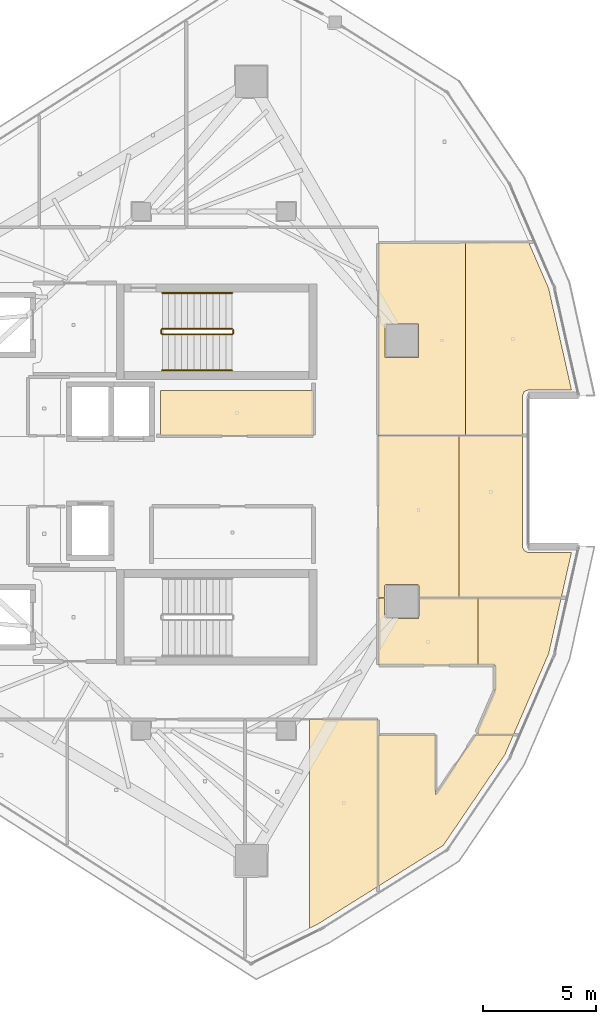
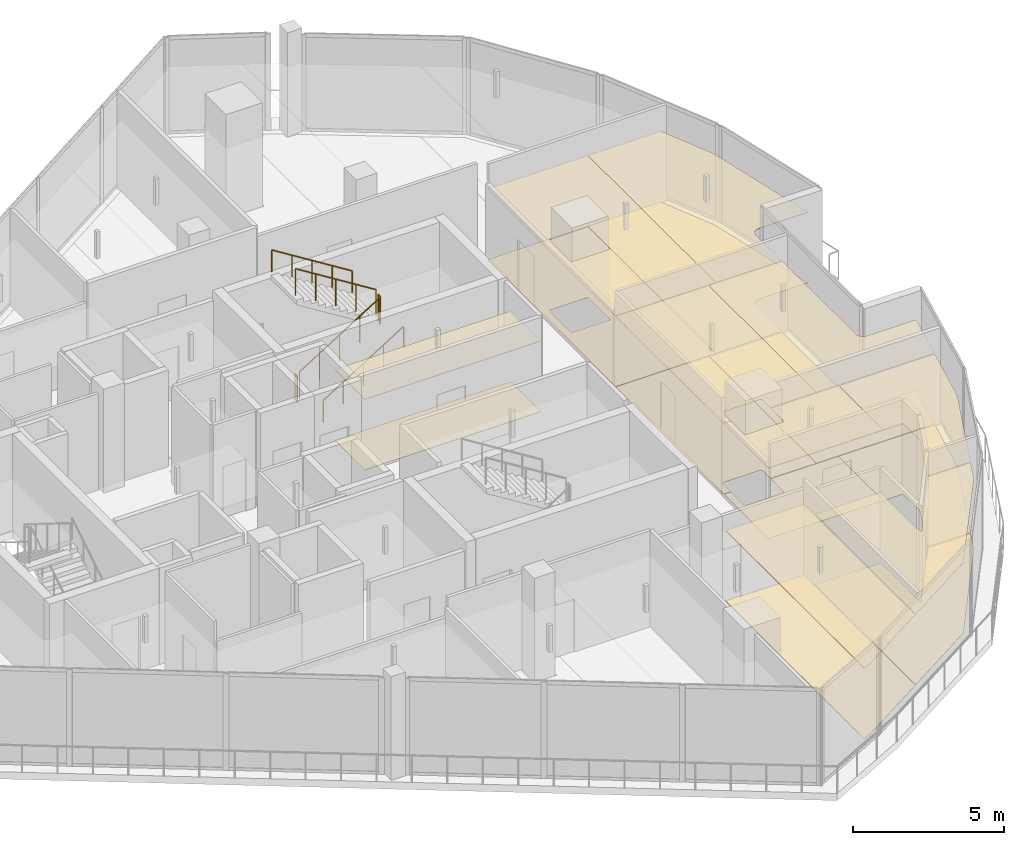
# One storey, part 22 of 23: 18 coverings, 6 railings.
"""IFC4 building model written with IfcOpenShell, lengths in metres."""

import ifcopenshell
import ifcopenshell.guid

model = None  # the IFC model being written
_history = None  # IfcOwnerHistory: only IFC2X3 demands one
_inside = {}  # id of a spatial element -> (the spatial element, [elements in it])
_under = {}  # id of a project, library or spatial element -> (it, [spatial elements below it])
_declared = {}  # id of a project -> (the project, [libraries it declares])
_typed = {}  # id of a type object -> (the type object, [elements of that type])
_made_of = {}  # id of a material, layer set ... -> (it, [elements and type objects made of it])


def new_model(schema):
    """Start an empty IFC model of exactly this schema.

    Asked for "IFC4X3", IfcOpenShell would pick the latest addendum, in which some entities
    have other attributes; the version numbers below select the first issue.
    IFC2X3 requires an IfcOwnerHistory on every rooted entity: one is made here for all.
    """
    global model, _history
    if schema == "IFC4X3":
        model = ifcopenshell.file(schema_version=(4, 3, 0, 0))
    else:
        model = ifcopenshell.file(schema=schema)
    _inside.clear()
    _under.clear()
    _declared.clear()
    _typed.clear()
    _made_of.clear()
    _history = None
    if model.schema == "IFC2X3":
        org = make("IfcOrganization", Name="unknown")
        user = make(
            "IfcPersonAndOrganization",
            ThePerson=make("IfcPerson", FamilyName="unknown"),
            TheOrganization=org,
        )
        app = make(
            "IfcApplication",
            ApplicationDeveloper=org,
            Version="unknown",
            ApplicationFullName="unknown",
            ApplicationIdentifier="unknown",
        )
        _history = make(
            "IfcOwnerHistory",
            OwningUser=user,
            OwningApplication=app,
            ChangeAction="ADDED",
            CreationDate=0,
        )
    return model


def make(cls, **values):
    """One entity of the class cls with the attributes given. An attribute that is None is left unset."""
    return model.create_entity(
        cls, **{name: value for name, value in values.items() if value is not None}
    )


def rooted(cls, **values):
    """An entity with a GlobalId (a new one), such as an element, a storey or a relation."""
    return make(cls, GlobalId=ifcopenshell.guid.new(), OwnerHistory=_history, **values)


def si_unit(unit_type, name, prefix=None):
    """IfcSIUnit, for example si_unit("LENGTHUNIT", "METRE", prefix="MILLI")."""
    return make("IfcSIUnit", UnitType=unit_type, Prefix=prefix, Name=name)


def assignment(units):
    """IfcUnitAssignment: the units of a project."""
    return None if units is None else make("IfcUnitAssignment", Units=units)


def point(xyz):
    """IfcCartesianPoint."""
    return None if xyz is None else make("IfcCartesianPoint", Coordinates=xyz)


def direction(xyz):
    """IfcDirection."""
    return None if xyz is None else make("IfcDirection", DirectionRatios=xyz)


def frame(location, z_axis=None, x_axis=None):
    """IfcAxis2Placement3D, a coordinate frame: its origin and axes. An axis left out is left unset."""
    return make(
        "IfcAxis2Placement3D",
        Location=point(location),
        Axis=direction(z_axis),
        RefDirection=direction(x_axis),
    )


def frame_2d(location, x_axis=None):
    """IfcAxis2Placement2D, a coordinate frame in the plane: its origin and x axis."""
    return make(
        "IfcAxis2Placement2D", Location=point(location), RefDirection=direction(x_axis)
    )


def origin():
    """The frame at (0, 0, 0) with its axes left unset."""
    return frame((0.0, 0.0, 0.0))


def origin_2d():
    """The frame at (0, 0) in the plane with its x axis left unset."""
    return frame_2d((0.0, 0.0))


def place(relative_to, where):
    """IfcLocalPlacement: puts the frame where relative to a parent placement (None: the world)."""
    return make(
        "IfcLocalPlacement", PlacementRelTo=relative_to, RelativePlacement=where
    )


def context(
    kind, dimensions, precision=None, world=None, true_north=None, identifier=None
):
    """IfcGeometricRepresentationContext, for example the 3D "Model" context."""
    return make(
        "IfcGeometricRepresentationContext",
        ContextIdentifier=identifier,
        ContextType=kind,
        CoordinateSpaceDimension=dimensions,
        Precision=precision,
        WorldCoordinateSystem=world,
        TrueNorth=true_north,
    )


def subcontext(parent, identifier, kind, view, scale=None):
    """IfcGeometricRepresentationSubContext, for example "Body" below "Model"."""
    return make(
        "IfcGeometricRepresentationSubContext",
        ContextIdentifier=identifier,
        ContextType=kind,
        ParentContext=parent,
        TargetScale=scale,
        TargetView=view,
    )


def project(units=None, contexts=None):
    """IfcProject with its units and contexts."""
    return rooted(
        "IfcProject",
        Name="project",
        RepresentationContexts=contexts,
        UnitsInContext=assignment(units),
    )


def spatial(cls, under=None, at=None, **own):
    """A site, building, storey or space (cls), placed at a placement, below another one or the project."""
    s = rooted(cls, ObjectPlacement=at, **own)
    if under is not None:
        _under.setdefault(under.id(), (under, []))[1].append(s)
    return s


def polyline(points):
    """IfcPolyline through the points."""
    return make("IfcPolyline", Points=[point(p) for p in points])


def profile(cls, at=None, kind="AREA", **sizes):
    """A parametric profile (cls). Its sizes go by their IFC names, for example OverallWidth=200.0."""
    return make(cls, ProfileType=kind, Position=at, **sizes)


def circle(**sizes):
    """IfcCircleProfileDef."""
    return profile("IfcCircleProfileDef", **sizes)


def outline(outer, holes=None, kind="AREA"):
    """IfcArbitraryClosedProfileDef: a profile drawn as a closed curve; with holes, ...WithVoids."""
    if holes is None:
        return make("IfcArbitraryClosedProfileDef", ProfileType=kind, OuterCurve=outer)
    return make(
        "IfcArbitraryProfileDefWithVoids",
        ProfileType=kind,
        OuterCurve=outer,
        InnerCurves=holes,
    )


def extrude(swept, where, along, depth):
    """IfcExtrudedAreaSolid: the profile swept, set in the frame where, extruded along a direction by depth."""
    return make(
        "IfcExtrudedAreaSolid",
        SweptArea=swept,
        Position=where,
        ExtrudedDirection=direction(along),
        Depth=depth,
    )


def shape(context_of_items, identifier, shape_type, items):
    """IfcShapeRepresentation: the items that make up one representation, for example the "Body"."""
    return make(
        "IfcShapeRepresentation",
        ContextOfItems=context_of_items,
        RepresentationIdentifier=identifier,
        RepresentationType=shape_type,
        Items=items,
    )


def material(Name=None, Category=None):
    """IfcMaterial."""
    return make("IfcMaterial", Name=Name, Category=Category)


def layer(
    of_material, thickness, ventilated=None, Name=None, Category=None, Priority=None
):
    """IfcMaterialLayer: one layer of a wall or slab, of a material (None: an air gap)."""
    return make(
        "IfcMaterialLayer",
        Material=of_material,
        LayerThickness=thickness,
        IsVentilated=ventilated,
        Name=Name,
        Category=Category,
        Priority=Priority,
    )


def layer_set(layers, Name=None):
    """IfcMaterialLayerSet."""
    return make("IfcMaterialLayerSet", MaterialLayers=layers, LayerSetName=Name)


def made_of(thing, what):
    """Note that an element or type object is made of a material, layer set ...; save() writes the relation."""
    if what is not None:
        _made_of.setdefault(what.id(), (what, []))[1].append(thing)
    return thing


def type_object(cls, material=None, **own):
    """A type object (cls), such as IfcWallType, which elements share."""
    return made_of(rooted(cls, **own), material)


def element(
    cls,
    number,
    at=None,
    inside=None,
    cuts=None,
    type_object=None,
    material=None,
    context=None,
    identifier="Body",
    shape_type=None,
    held_by="IfcProductDefinitionShape",
    body=None,
    shapes=None,
    **own,
):
    """One element of the class cls, such as IfcWall. Its Tag is "e" and its number.

    at: its placement. inside: the storey or other place that contains it. cuts: it is an
    opening in that element (IfcRelVoidsElement). A single representation is given by context,
    identifier, shape_type and body (its items); several are given by shapes. held_by: the class
    of the entity that holds the representations. save() writes the other relations.
    """
    e = rooted(cls, Tag="e%d" % number, ObjectPlacement=at, **own)
    if body is not None:
        shapes = [shape(context, identifier, shape_type, body)]
    if shapes is not None:
        e.Representation = make(held_by, Representations=shapes)
    if inside is not None:
        _inside.setdefault(inside.id(), (inside, []))[1].append(e)
    if cuts is not None:
        rooted(
            "IfcRelVoidsElement", RelatingBuildingElement=cuts, RelatedOpeningElement=e
        )
    if type_object is not None:
        _typed.setdefault(type_object.id(), (type_object, []))[1].append(e)
    return made_of(e, material)


def aggregate(whole, parts):
    """IfcRelAggregates: a whole, such as a stair, and the parts it consists of."""
    return rooted("IfcRelAggregates", RelatingObject=whole, RelatedObjects=parts)


def save(model, path):
    """Write the relations noted so far, then the file.

    IfcRelAggregates (storeys below a building ...), IfcRelContainedInSpatialStructure (elements
    in a storey), IfcRelDefinesByType, IfcRelAssociatesMaterial and IfcRelDeclares: one each for
    every whole, place, type object, material and project.
    """
    for whole, parts in _under.values():
        aggregate(whole, parts)
    for where, things in _inside.values():
        rooted(
            "IfcRelContainedInSpatialStructure",
            RelatedElements=things,
            RelatingStructure=where,
        )
    for kind, things in _typed.values():
        rooted("IfcRelDefinesByType", RelatedObjects=things, RelatingType=kind)
    for what, things in _made_of.values():
        rooted("IfcRelAssociatesMaterial", RelatedObjects=things, RelatingMaterial=what)
    for by, libraries in _declared.values():
        rooted("IfcRelDeclares", RelatingContext=by, RelatedDefinitions=libraries)
    model.write(path)


model = new_model("IFC4")

# Units and contexts
model_context = context("Model", 3, precision=1e-05, world=origin(), true_north=direction((0.0, 1.0)))
body_context = subcontext(model_context, "Body", "Model", "MODEL_VIEW")
ifc_project = project(units=[si_unit("LENGTHUNIT", "METRE"), si_unit("AREAUNIT", "SQUARE_METRE"), si_unit("VOLUMEUNIT", "CUBIC_METRE"), si_unit("PLANEANGLEUNIT", "RADIAN"), si_unit("MASSUNIT", "GRAM", prefix="KILO")], contexts=[model_context])

# Site, building, storey
site_placement = place(None, origin())
site = spatial("IfcSite", under=ifc_project, at=site_placement, CompositionType="ELEMENT")
building_placement = place(site_placement, origin())
building = spatial("IfcBuilding", under=site, at=building_placement, Name="Qorvath Tower", CompositionType="ELEMENT")
storey_placement = place(building_placement, frame((0.0, 0.0, 310.199951171875)))
storey = spatial("IfcBuildingStorey", under=building, at=storey_placement, Name="L72", CompositionType="ELEMENT", Elevation=310.199951171875)

# Coverings
ifc_material_1 = material(Name="Acoustic mineral fibre ceiling tile", Category="gypsum")
ifc_layer_1 = layer(ifc_material_1, 0.030029296875)
ifc_layer_set_1 = layer_set([ifc_layer_1], Name="COV-CEIL")
covering_type_1 = type_object("IfcCoveringType", Name="COV-CEIL", PredefinedType="CEILING", material=ifc_layer_set_1)
covering_1_placement = place(storey_placement, frame((0.0, 0.0, 2.85009765625)))
element("IfcCovering", 1, at=covering_1_placement, inside=storey, type_object=covering_type_1, Name="L72 Suspended Acoustic Ceiling 003", PredefinedType="CEILING", context=body_context, shape_type="SweptSolid", body=[
    extrude(outline(polyline([(-16.0048828125, 3.56005859375), (-22.739990234375, 3.56005859375), (-22.739990234375, 1.56494140625), (-16.0048828125, 1.56494140625), (-16.0048828125, 3.56005859375)])), origin(), (0.0, 0.0, 1.0), 0.030029296875),
])
covering_2_placement = place(storey_placement, frame((0.0, 0.0, 2.85009765625)))
element("IfcCovering", 2, at=covering_2_placement, inside=storey, type_object=covering_type_1, Name="L72 Suspended Acoustic Ceiling 023", PredefinedType="CEILING", context=body_context, shape_type="SweptSolid", body=[
    extrude(outline(polyline([(-13.155029296875, -10.962890625), (-16.174072265625, -10.962890625), (-16.174072265625, -20.173095703125), (-15.76953125, -19.970947265625), (-13.155029296875, -18.3310546875), (-13.155029296875, -10.962890625)])), origin(), (0.0, 0.0, 1.0), 0.030029296875),
])
covering_3_placement = place(storey_placement, frame((0.0, 0.0, 2.85009765625)))
element("IfcCovering", 3, at=covering_3_placement, inside=storey, type_object=covering_type_1, Name="L72 Suspended Acoustic Ceiling 024", PredefinedType="CEILING", context=body_context, shape_type="SweptSolid", body=[
    extrude(outline(polyline([(-13.136962890625, -18.31982421875), (-10.275634765625, -16.52490234375), (-7.554443359375, -12.5205078125), (-7.171875, -11.63818359375), (-8.84228515625, -11.63818359375), (-10.607421875, -14.28466796875), (-10.613037109375, -11.63818359375), (-13.136962890625, -11.63818359375), (-13.136962890625, -18.31982421875)])), origin(), (0.0, 0.0, 1.0), 0.030029296875),
])
covering_4_placement = place(storey_placement, frame((0.0, 0.0, 2.85009765625)))
element("IfcCovering", 4, at=covering_4_placement, inside=storey, type_object=covering_type_1, Name="L72 Suspended Acoustic Ceiling 025", PredefinedType="CEILING", context=body_context, shape_type="SweptSolid", body=[
    extrude(outline(polyline([(-8.74560546875, -8.56689453125), (-8.74560546875, -5.601806640625), (-11.3369140625, -5.601806640625), (-11.3544921875, -6.500244140625), (-12.796875, -6.517822265625), (-12.856689453125, -6.4580078125), (-12.856689453125, -5.601806640625), (-13.136962890625, -5.601806640625), (-13.136962890625, -8.56689453125), (-8.74560546875, -8.56689453125)])), origin(), (0.0, 0.0, 1.0), 0.030029296875),
])
covering_5_placement = place(storey_placement, frame((0.0, 0.0, 2.85009765625)))
element("IfcCovering", 5, at=covering_5_placement, inside=storey, type_object=covering_type_1, Name="L72 Suspended Acoustic Ceiling 026", PredefinedType="CEILING", context=body_context, shape_type="SweptSolid", body=[
    extrude(outline(polyline([(-7.9873046875, -9.667724609375), (-8.74560546875, -11.41650390625), (-8.74560546875, -11.6201171875), (-7.1640625, -11.6201171875), (-5.616943359375, -8.051513671875), (-5.06591796875, -5.601806640625), (-8.74560546875, -5.601806640625), (-8.74560546875, -8.56689453125), (-7.991943359375, -8.56689453125), (-7.9873046875, -9.667724609375)])), origin(), (0.0, 0.0, 1.0), 0.030029296875),
])
covering_6_placement = place(storey_placement, frame((0.0, 0.0, 2.85009765625)))
element("IfcCovering", 6, at=covering_6_placement, inside=storey, type_object=covering_type_1, Name="L72 Suspended Acoustic Ceiling 027", PredefinedType="CEILING", context=body_context, shape_type="SweptSolid", body=[
    extrude(outline(polyline([(-9.581787109375, -5.583984375), (-9.581787109375, 1.562744140625), (-13.136962890625, 1.562744140625), (-13.136962890625, -5.583984375), (-12.856689453125, -5.583984375), (-12.856689453125, -5.057861328125), (-12.796875, -4.997802734375), (-11.396728515625, -4.997802734375), (-11.3369140625, -5.057861328125), (-11.3369140625, -5.583984375), (-9.581787109375, -5.583984375)])), origin(), (0.0, 0.0, 1.0), 0.030029296875),
])
covering_7_placement = place(storey_placement, frame((0.0, 0.0, 2.85009765625)))
element("IfcCovering", 7, at=covering_7_placement, inside=storey, type_object=covering_type_1, Name="L72 Suspended Acoustic Ceiling 028", PredefinedType="CEILING", context=body_context, shape_type="SweptSolid", body=[
    extrude(outline(polyline([(-6.677978515625, -3.527587890625), (-6.765380859375, -3.380615234375), (-6.77001953125, 1.562744140625), (-9.581787109375, 1.562744140625), (-9.581787109375, -5.583984375), (-5.06201171875, -5.583984375), (-4.612548828125, -3.5869140625), (-6.53955078125, -3.585693359375), (-6.677978515625, -3.527587890625)])), origin(), (0.0, 0.0, 1.0), 0.030029296875),
])
covering_8_placement = place(storey_placement, frame((0.0, 0.0, 2.85009765625)))
element("IfcCovering", 8, at=covering_8_placement, inside=storey, type_object=covering_type_1, Name="L72 Suspended Acoustic Ceiling 029", PredefinedType="CEILING", context=body_context, shape_type="SweptSolid", body=[
    extrude(outline(polyline([(-9.29638671875, 1.58056640625), (-9.29638671875, 10.077392578125), (-13.136962890625, 10.061279296875), (-13.136962890625, 1.58056640625), (-9.29638671875, 1.58056640625)]), holes=[polyline([(-12.839111328125, 5.015380859375), (-12.839111328125, 6.500244140625), (-11.3544921875, 6.500244140625), (-11.3544921875, 5.015380859375), (-12.839111328125, 5.015380859375)])]), origin(), (0.0, 0.0, 1.0), 0.030029296875),
])
covering_9_placement = place(storey_placement, frame((0.0, 0.0, 2.85009765625)))
element("IfcCovering", 9, at=covering_9_placement, inside=storey, type_object=covering_type_1, Name="L72 Suspended Acoustic Ceiling 030", PredefinedType="CEILING", context=body_context, shape_type="SweptSolid", body=[
    extrude(outline(polyline([(-6.51708984375, 3.58642578125), (-4.612548828125, 3.5869140625), (-5.616943359375, 8.051513671875), (-6.500244140625, 10.0888671875), (-9.29638671875, 10.077392578125), (-9.29638671875, 1.58056640625), (-6.77001953125, 1.58056640625), (-6.77001953125, 3.331787109375), (-6.696533203125, 3.510498046875), (-6.51708984375, 3.58642578125)])), origin(), (0.0, 0.0, 1.0), 0.030029296875),
])
ifc_material_2 = material(Name="Low-VOC modular carpet tile", Category="textile")
ifc_layer_2 = layer(ifc_material_2, 0.014892578125)
ifc_layer_set_2 = layer_set([ifc_layer_2], Name="COV-FLOOR-CPT")
covering_type_2 = type_object("IfcCoveringType", Name="COV-FLOOR-CPT", PredefinedType="FLOORING", material=ifc_layer_set_2)
covering_10_placement = place(storey_placement, origin())
element("IfcCovering", 10, at=covering_10_placement, inside=storey, type_object=covering_type_2, Name="L72 Floor Finish 003", PredefinedType="FLOORING", context=body_context, shape_type="SweptSolid", body=[
    extrude(outline(polyline([(-16.0048828125, 3.56005859375), (-22.739990234375, 3.56005859375), (-22.739990234375, 1.56494140625), (-16.0048828125, 1.56494140625), (-16.0048828125, 3.56005859375)])), origin(), (0.0, 0.0, 1.0), 0.01513671875),
])
covering_11_placement = place(storey_placement, origin())
element("IfcCovering", 11, at=covering_11_placement, inside=storey, type_object=covering_type_2, Name="L72 Floor Finish 023", PredefinedType="FLOORING", context=body_context, shape_type="SweptSolid", body=[
    extrude(outline(polyline([(-13.155029296875, -10.962890625), (-16.174072265625, -10.962890625), (-16.174072265625, -20.173095703125), (-15.76953125, -19.970947265625), (-13.155029296875, -18.3310546875), (-13.155029296875, -10.962890625)])), origin(), (0.0, 0.0, 1.0), 0.01513671875),
])
covering_12_placement = place(storey_placement, origin())
element("IfcCovering", 12, at=covering_12_placement, inside=storey, type_object=covering_type_2, Name="L72 Floor Finish 024", PredefinedType="FLOORING", context=body_context, shape_type="SweptSolid", body=[
    extrude(outline(polyline([(-13.136962890625, -18.31982421875), (-10.275634765625, -16.52490234375), (-7.554443359375, -12.5205078125), (-7.171875, -11.63818359375), (-8.84228515625, -11.63818359375), (-10.607421875, -14.28466796875), (-10.613037109375, -11.63818359375), (-13.136962890625, -11.63818359375), (-13.136962890625, -18.31982421875)])), origin(), (0.0, 0.0, 1.0), 0.01513671875),
])
covering_13_placement = place(storey_placement, origin())
element("IfcCovering", 13, at=covering_13_placement, inside=storey, type_object=covering_type_2, Name="L72 Floor Finish 025", PredefinedType="FLOORING", context=body_context, shape_type="SweptSolid", body=[
    extrude(outline(polyline([(-8.74560546875, -8.56689453125), (-8.74560546875, -5.601806640625), (-11.3369140625, -5.601806640625), (-11.3544921875, -6.500244140625), (-12.796875, -6.517822265625), (-12.856689453125, -6.4580078125), (-12.856689453125, -5.601806640625), (-13.136962890625, -5.601806640625), (-13.136962890625, -8.56689453125), (-8.74560546875, -8.56689453125)])), origin(), (0.0, 0.0, 1.0), 0.01513671875),
])
covering_14_placement = place(storey_placement, origin())
element("IfcCovering", 14, at=covering_14_placement, inside=storey, type_object=covering_type_2, Name="L72 Floor Finish 026", PredefinedType="FLOORING", context=body_context, shape_type="SweptSolid", body=[
    extrude(outline(polyline([(-7.9873046875, -9.667724609375), (-8.74560546875, -11.41650390625), (-8.74560546875, -11.6201171875), (-7.1640625, -11.6201171875), (-5.616943359375, -8.051513671875), (-5.06591796875, -5.601806640625), (-8.74560546875, -5.601806640625), (-8.74560546875, -8.56689453125), (-7.991943359375, -8.56689453125), (-7.9873046875, -9.667724609375)])), origin(), (0.0, 0.0, 1.0), 0.01513671875),
])
covering_15_placement = place(storey_placement, origin())
element("IfcCovering", 15, at=covering_15_placement, inside=storey, type_object=covering_type_2, Name="L72 Floor Finish 027", PredefinedType="FLOORING", context=body_context, shape_type="SweptSolid", body=[
    extrude(outline(polyline([(-9.581787109375, -5.583984375), (-9.581787109375, 1.562744140625), (-13.136962890625, 1.562744140625), (-13.136962890625, -5.583984375), (-12.856689453125, -5.583984375), (-12.856689453125, -5.057861328125), (-12.796875, -4.997802734375), (-11.396728515625, -4.997802734375), (-11.3369140625, -5.057861328125), (-11.3369140625, -5.583984375), (-9.581787109375, -5.583984375)])), origin(), (0.0, 0.0, 1.0), 0.01513671875),
])
covering_16_placement = place(storey_placement, origin())
element("IfcCovering", 16, at=covering_16_placement, inside=storey, type_object=covering_type_2, Name="L72 Floor Finish 028", PredefinedType="FLOORING", context=body_context, shape_type="SweptSolid", body=[
    extrude(outline(polyline([(-6.677978515625, -3.527587890625), (-6.765380859375, -3.380615234375), (-6.77001953125, 1.562744140625), (-9.581787109375, 1.562744140625), (-9.581787109375, -5.583984375), (-5.06201171875, -5.583984375), (-4.612548828125, -3.5869140625), (-6.53955078125, -3.585693359375), (-6.677978515625, -3.527587890625)])), origin(), (0.0, 0.0, 1.0), 0.01513671875),
])
covering_17_placement = place(storey_placement, origin())
element("IfcCovering", 17, at=covering_17_placement, inside=storey, type_object=covering_type_2, Name="L72 Floor Finish 029", PredefinedType="FLOORING", context=body_context, shape_type="SweptSolid", body=[
    extrude(outline(polyline([(-9.29638671875, 1.58056640625), (-9.29638671875, 10.077392578125), (-13.136962890625, 10.061279296875), (-13.136962890625, 1.58056640625), (-9.29638671875, 1.58056640625)]), holes=[polyline([(-12.839111328125, 5.015380859375), (-12.839111328125, 6.500244140625), (-11.3544921875, 6.500244140625), (-11.3544921875, 5.015380859375), (-12.839111328125, 5.015380859375)])]), origin(), (0.0, 0.0, 1.0), 0.01513671875),
])
covering_18_placement = place(storey_placement, origin())
element("IfcCovering", 18, at=covering_18_placement, inside=storey, type_object=covering_type_2, Name="L72 Floor Finish 030", PredefinedType="FLOORING", context=body_context, shape_type="SweptSolid", body=[
    extrude(outline(polyline([(-6.51708984375, 3.58642578125), (-4.612548828125, 3.5869140625), (-5.616943359375, 8.051513671875), (-6.500244140625, 10.0888671875), (-9.29638671875, 10.077392578125), (-9.29638671875, 1.58056640625), (-6.77001953125, 1.58056640625), (-6.77001953125, 3.331787109375), (-6.696533203125, 3.510498046875), (-6.51708984375, 3.58642578125)])), origin(), (0.0, 0.0, 1.0), 0.01513671875),
])

# Railings
ifc_material_3 = material(Name="Painted galvanised steel", Category="steel")
railing_type_1 = type_object("IfcRailingType", Name="RL-STR-GRD", PredefinedType="GUARDRAIL", material=ifc_material_3)
railing_1_placement = place(storey_placement, frame((-22.669921875, 6.030029296875, 0.175048828125)))
element("IfcRailing", 19, at=railing_1_placement, inside=storey, type_object=railing_type_1, Name="L72 TS1 stair guard 1", PredefinedType="GUARDRAIL", context=body_context, shape_type="SweptSolid", body=[
    extrude(circle(Radius=0.02392578125, at=origin_2d()), frame((0.0, 0.0, 1.076171875), z_axis=(0.847979421464, 0.0, 0.530029150871), x_axis=(0.0, 1.0, 0.0)), (0.0, 0.0, 1.0), 3.632080078125),
    extrude(circle(Radius=0.02099609375, at=origin_2d()), origin(), (0.0, 0.0, 1.0), 1.052001953125),
    extrude(circle(Radius=0.02099609375, at=origin_2d()), frame((0.77001953125, 0.0, 0.481201171875)), (0.0, 0.0, 1.0), 1.052001953125),
    extrude(circle(Radius=0.02099609375, at=origin_2d()), frame((1.5400390625, 0.0, 0.96240234375)), (0.0, 0.0, 1.0), 1.052001953125),
    extrude(circle(Radius=0.02099609375, at=origin_2d()), frame((2.309814453125, 0.0, 1.44384765625)), (0.0, 0.0, 1.0), 1.052001953125),
    extrude(circle(Radius=0.02099609375, at=origin_2d()), frame((3.079833984375, 0.0, 1.925048828125)), (0.0, 0.0, 1.0), 1.052001953125),
])
railing_2_placement = place(storey_placement, frame((-19.5400390625, 6.080078125, 2.10009765625)))
element("IfcRailing", 20, at=railing_2_placement, inside=storey, type_object=railing_type_1, Name="L72 TS1 stair guard 2", PredefinedType="GUARDRAIL", context=body_context, shape_type="SweptSolid", body=[
    extrude(circle(Radius=0.02392578125, at=origin_2d()), frame((0.0, 0.0, 1.076171875), z_axis=(0.0, 1.0, 0.0), x_axis=(-1.0, 0.0, 0.0)), (0.0, 0.0, 1.0), 0.14990234375),
    extrude(circle(Radius=0.02099609375, at=origin_2d()), origin(), (0.0, 0.0, 1.0), 1.052001953125),
    extrude(circle(Radius=0.02099609375, at=origin_2d()), frame((0.0, 0.14990234375, 0.0)), (0.0, 0.0, 1.0), 1.052001953125),
])
railing_3_placement = place(storey_placement, frame((-19.590087890625, 6.280029296875, 2.275146484375)))
element("IfcRailing", 21, at=railing_3_placement, inside=storey, type_object=railing_type_1, Name="L72 TS1 stair guard 3", PredefinedType="GUARDRAIL", context=body_context, shape_type="SweptSolid", body=[
    extrude(circle(Radius=0.02392578125, at=origin_2d()), frame((0.0, 0.0, 1.076171875), z_axis=(-0.848009633417, 0.0, 0.529980812513), x_axis=(0.0, -1.0, 0.0)), (0.0, 0.0, 1.0), 3.6318359375),
    extrude(circle(Radius=0.02099609375, at=origin_2d()), origin(), (0.0, 0.0, 1.0), 1.052001953125),
    extrude(circle(Radius=0.02099609375, at=origin_2d()), frame((-0.77001953125, 0.0, 0.481201171875)), (0.0, 0.0, 1.0), 1.052001953125),
    extrude(circle(Radius=0.02099609375, at=origin_2d()), frame((-1.5400390625, 0.0, 0.96240234375)), (0.0, 0.0, 1.0), 1.052001953125),
    extrude(circle(Radius=0.02099609375, at=origin_2d()), frame((-2.309814453125, 0.0, 1.443603515625)), (0.0, 0.0, 1.0), 1.052001953125),
    extrude(circle(Radius=0.02099609375, at=origin_2d()), frame((-3.079833984375, 0.0, 1.9248046875)), (0.0, 0.0, 1.0), 1.052001953125),
])
railing_4_placement = place(storey_placement, frame((-22.719970703125, 6.080078125, 0.0)))
element("IfcRailing", 22, at=railing_4_placement, inside=storey, type_object=railing_type_1, Name="L72 TS1 stair guard 4", PredefinedType="GUARDRAIL", context=body_context, shape_type="SweptSolid", body=[
    extrude(circle(Radius=0.02392578125, at=origin_2d()), frame((0.0, 0.0, 1.076171875), z_axis=(0.0, 1.0, 0.0), x_axis=(-1.0, 0.0, 0.0)), (0.0, 0.0, 1.0), 0.14990234375),
    extrude(circle(Radius=0.02099609375, at=origin_2d()), origin(), (0.0, 0.0, 1.0), 1.052001953125),
    extrude(circle(Radius=0.02099609375, at=origin_2d()), frame((0.0, 0.14990234375, 0.0)), (0.0, 0.0, 1.0), 1.052001953125),
])
ifc_material_4 = material(Name="Brushed stainless steel AISI 304", Category="steel")
railing_type_2 = type_object("IfcRailingType", Name="RL-STR-HND", PredefinedType="HANDRAIL", material=ifc_material_4)
railing_5_placement = place(storey_placement, frame((-22.669921875, 4.449951171875, 0.175048828125)))
element("IfcRailing", 23, at=railing_5_placement, inside=storey, type_object=railing_type_2, Name="L72 TS1 stair handrail 1", PredefinedType="HANDRAIL", context=body_context, shape_type="SweptSolid", body=[
    extrude(circle(Radius=0.02392578125, at=origin_2d()), frame((0.0, 0.0, 0.8759765625), z_axis=(0.847979421464, 0.0, 0.530029150871), x_axis=(0.0, 1.0, 0.0)), (0.0, 0.0, 1.0), 3.632080078125),
    extrude(circle(Radius=0.02099609375, at=origin_2d()), origin(), (0.0, 0.0, 1.0), 0.851806640625),
    extrude(circle(Radius=0.02099609375, at=origin_2d()), frame((0.77001953125, 0.0, 0.481201171875)), (0.0, 0.0, 1.0), 0.851806640625),
    extrude(circle(Radius=0.02099609375, at=origin_2d()), frame((1.5400390625, 0.0, 0.96240234375)), (0.0, 0.0, 1.0), 0.851806640625),
    extrude(circle(Radius=0.02099609375, at=origin_2d()), frame((2.309814453125, 0.0, 1.44384765625)), (0.0, 0.0, 1.0), 0.851806640625),
    extrude(circle(Radius=0.02099609375, at=origin_2d()), frame((3.079833984375, 0.0, 1.925048828125)), (0.0, 0.0, 1.0), 0.851806640625),
])
railing_6_placement = place(storey_placement, frame((-19.590087890625, 7.860107421875, 2.275146484375)))
element("IfcRailing", 24, at=railing_6_placement, inside=storey, type_object=railing_type_2, Name="L72 TS1 stair handrail 2", PredefinedType="HANDRAIL", context=body_context, shape_type="SweptSolid", body=[
    extrude(circle(Radius=0.02392578125, at=origin_2d()), frame((0.0, 0.0, 0.8759765625), z_axis=(-0.848009633417, 0.0, 0.529980812513), x_axis=(0.0, -1.0, 0.0)), (0.0, 0.0, 1.0), 3.6318359375),
    extrude(circle(Radius=0.02099609375, at=origin_2d()), origin(), (0.0, 0.0, 1.0), 0.851806640625),
    extrude(circle(Radius=0.02099609375, at=origin_2d()), frame((-0.77001953125, 0.0, 0.481201171875)), (0.0, 0.0, 1.0), 0.851806640625),
    extrude(circle(Radius=0.02099609375, at=origin_2d()), frame((-1.5400390625, 0.0, 0.96240234375)), (0.0, 0.0, 1.0), 0.851806640625),
    extrude(circle(Radius=0.02099609375, at=origin_2d()), frame((-2.309814453125, 0.0, 1.443603515625)), (0.0, 0.0, 1.0), 0.851806640625),
    extrude(circle(Radius=0.02099609375, at=origin_2d()), frame((-3.079833984375, 0.0, 1.9248046875)), (0.0, 0.0, 1.0), 0.851806640625),
])

save(model, "model.ifc")
